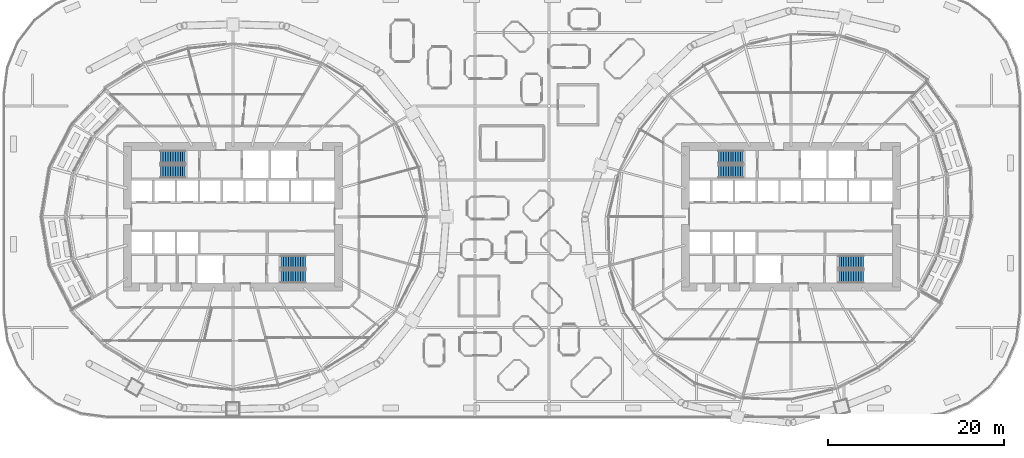
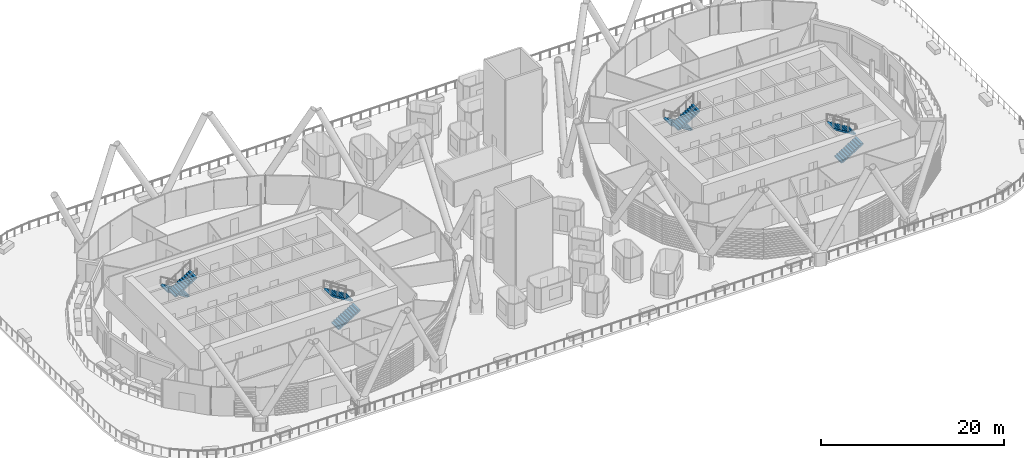
# One storey, part 34 of 47: 8 stair flights, 4 elements without a shape of their own.
"""IFC4 building model written with IfcOpenShell, lengths in metres."""

from ifc_helpers import new_model, si_unit, direction, frame, origin, place, context, subcontext, project, spatial, polyline, outline, extrude, material, type_object, element, aggregate, save


model = new_model("IFC4")

# Units and contexts
model_context = context("Model", 3, precision=1e-05, world=origin(), true_north=direction((0.0, 1.0)))
body_context = subcontext(model_context, "Body", "Model", "MODEL_VIEW")
ifc_project = project(units=[si_unit("LENGTHUNIT", "METRE"), si_unit("AREAUNIT", "SQUARE_METRE"), si_unit("VOLUMEUNIT", "CUBIC_METRE"), si_unit("PLANEANGLEUNIT", "RADIAN"), si_unit("MASSUNIT", "GRAM", prefix="KILO")], contexts=[model_context])

# Site, building, storey
site_placement = place(None, origin())
site = spatial("IfcSite", under=ifc_project, at=site_placement, CompositionType="ELEMENT")
building_placement = place(site_placement, origin())
building = spatial("IfcBuilding", under=site, at=building_placement, Name="Rimbun Link Towers", CompositionType="ELEMENT")
storey_placement = place(building_placement, frame((0.0, 0.0, 30.0)))
storey = spatial("IfcBuildingStorey", under=building, at=storey_placement, Name="L06", CompositionType="ELEMENT", Elevation=30.0)

# Stair, stair flights
ifc_material_1 = material(Name="Concrete C40/50", Category="concrete")
stair_type = type_object("IfcStairType", Name="Exit stair 3800 rise", PredefinedType="HALF_TURN_STAIR", material=ifc_material_1)
stair_1_placement = place(storey_placement, origin())
stair_1 = element("IfcStair", 1, at=stair_1_placement, inside=storey, type_object=stair_type, Name="L06 EXIT STAIR A", PredefinedType="HALF_TURN_STAIR")
ifc_material_2 = material(Name="Concrete C40/50", Category="concrete")
stair_flight_type = type_object("IfcStairFlightType", Name="Exit stair flight 3800 rise", PredefinedType="STRAIGHT", material=ifc_material_2)
stair_flight_1_placement = place(storey_placement, frame((-37.199951171875, 6.800048828125, 0.0), z_axis=(0.0, 0.0, 1.0), x_axis=(-1.0, 0.0, 0.0)))
stair_flight_1 = element("IfcStairFlight", 2, at=stair_flight_1_placement, type_object=stair_flight_type, Name="ST1 flight 1", NumberOfRisers=11, NumberOfTreads=10, PredefinedType="STRAIGHT", RiserHeight=0.172727273, TreadLength=0.28, context=body_context, shape_type="SweptSolid", body=[
    extrude(outline(polyline([(0.0, 0.0), (0.0, 0.172607421875), (0.280029296875, 0.172607421875), (0.280029296875, 0.345458984375), (0.56005859375, 0.345458984375), (0.56005859375, 0.51806640625), (0.840087890625, 0.51806640625), (0.840087890625, 0.69091796875), (1.1201171875, 0.69091796875), (1.1201171875, 0.863525390625), (1.39990234375, 0.863525390625), (1.39990234375, 1.036376953125), (1.679931640625, 1.036376953125), (1.679931640625, 1.208984375), (1.9599609375, 1.208984375), (1.9599609375, 1.3818359375), (2.239990234375, 1.3818359375), (2.239990234375, 1.554443359375), (2.52001953125, 1.554443359375), (2.52001953125, 1.727294921875), (2.800048828125, 1.727294921875), (2.800048828125, 1.89990234375), (2.800048828125, 1.551025390625), (0.280029296875, 0.0), (0.0, 0.0)])), frame((0.0, 0.75, 0.0), z_axis=(0.0, -1.0, 0.0), x_axis=(1.0, 0.0, 0.0)), (0.0, 0.0, 1.0), 1.5),
])
stair_flight_2_placement = place(storey_placement, frame((-40.0, 5.14990234375, 1.89990234375), z_axis=(0.0, 0.0, 1.0), x_axis=(1.0, 0.0, 0.0)))
stair_flight_2 = element("IfcStairFlight", 3, at=stair_flight_2_placement, type_object=stair_flight_type, Name="ST1 flight 2", NumberOfRisers=11, NumberOfTreads=10, PredefinedType="STRAIGHT", RiserHeight=0.172727273, TreadLength=0.28, context=body_context, shape_type="SweptSolid", body=[
    extrude(outline(polyline([(0.0, 0.0), (0.0, 0.172607421875), (0.280029296875, 0.172607421875), (0.280029296875, 0.345458984375), (0.56005859375, 0.345458984375), (0.56005859375, 0.51806640625), (0.840087890625, 0.51806640625), (0.840087890625, 0.69091796875), (1.1201171875, 0.69091796875), (1.1201171875, 0.863525390625), (1.39990234375, 0.863525390625), (1.39990234375, 1.036376953125), (1.679931640625, 1.036376953125), (1.679931640625, 1.208984375), (1.9599609375, 1.208984375), (1.9599609375, 1.3818359375), (2.239990234375, 1.3818359375), (2.239990234375, 1.554443359375), (2.52001953125, 1.554443359375), (2.52001953125, 1.727294921875), (2.800048828125, 1.727294921875), (2.800048828125, 1.89990234375), (2.800048828125, 1.551025390625), (0.280029296875, 0.0), (0.0, 0.0)])), frame((0.0, 0.75, 0.0), z_axis=(0.0, -1.0, 0.0), x_axis=(1.0, 0.0, 0.0)), (0.0, 0.0, 1.0), 1.5),
])
aggregate(stair_1, [stair_flight_1, stair_flight_2])

stair_2_placement = place(storey_placement, origin())
stair_2 = element("IfcStair", 4, at=stair_2_placement, inside=storey, type_object=stair_type, Name="L06 EXIT STAIR B", PredefinedType="HALF_TURN_STAIR")
stair_flight_3_placement = place(storey_placement, frame((-26.300048828125, -6.800048828125, 0.0), z_axis=(0.0, 0.0, 1.0), x_axis=(1.0, 0.0, 0.0)))
stair_flight_3 = element("IfcStairFlight", 5, at=stair_flight_3_placement, type_object=stair_flight_type, Name="ST2 flight 1", NumberOfRisers=11, NumberOfTreads=10, PredefinedType="STRAIGHT", RiserHeight=0.172727273, TreadLength=0.28, context=body_context, shape_type="SweptSolid", body=[
    extrude(outline(polyline([(0.0, 0.0), (0.0, 0.172607421875), (0.280029296875, 0.172607421875), (0.280029296875, 0.345458984375), (0.56005859375, 0.345458984375), (0.56005859375, 0.51806640625), (0.840087890625, 0.51806640625), (0.840087890625, 0.69091796875), (1.1201171875, 0.69091796875), (1.1201171875, 0.863525390625), (1.39990234375, 0.863525390625), (1.39990234375, 1.036376953125), (1.679931640625, 1.036376953125), (1.679931640625, 1.208984375), (1.9599609375, 1.208984375), (1.9599609375, 1.3818359375), (2.239990234375, 1.3818359375), (2.239990234375, 1.554443359375), (2.52001953125, 1.554443359375), (2.52001953125, 1.727294921875), (2.800048828125, 1.727294921875), (2.800048828125, 1.89990234375), (2.800048828125, 1.551025390625), (0.280029296875, 0.0), (0.0, 0.0)])), frame((0.0, 0.75, 0.0), z_axis=(0.0, -1.0, 0.0), x_axis=(1.0, 0.0, 0.0)), (0.0, 0.0, 1.0), 1.5),
])
stair_flight_4_placement = place(storey_placement, frame((-23.5, -5.14990234375, 1.89990234375), z_axis=(0.0, 0.0, 1.0), x_axis=(-1.0, 0.0, 0.0)))
stair_flight_4 = element("IfcStairFlight", 6, at=stair_flight_4_placement, type_object=stair_flight_type, Name="ST2 flight 2", NumberOfRisers=11, NumberOfTreads=10, PredefinedType="STRAIGHT", RiserHeight=0.172727273, TreadLength=0.28, context=body_context, shape_type="SweptSolid", body=[
    extrude(outline(polyline([(0.0, 0.0), (0.0, 0.172607421875), (0.280029296875, 0.172607421875), (0.280029296875, 0.345458984375), (0.56005859375, 0.345458984375), (0.56005859375, 0.51806640625), (0.840087890625, 0.51806640625), (0.840087890625, 0.69091796875), (1.1201171875, 0.69091796875), (1.1201171875, 0.863525390625), (1.39990234375, 0.863525390625), (1.39990234375, 1.036376953125), (1.679931640625, 1.036376953125), (1.679931640625, 1.208984375), (1.9599609375, 1.208984375), (1.9599609375, 1.3818359375), (2.239990234375, 1.3818359375), (2.239990234375, 1.554443359375), (2.52001953125, 1.554443359375), (2.52001953125, 1.727294921875), (2.800048828125, 1.727294921875), (2.800048828125, 1.89990234375), (2.800048828125, 1.551025390625), (0.280029296875, 0.0), (0.0, 0.0)])), frame((0.0, 0.75, 0.0), z_axis=(0.0, -1.0, 0.0), x_axis=(1.0, 0.0, 0.0)), (0.0, 0.0, 1.0), 1.5),
])
aggregate(stair_2, [stair_flight_3, stair_flight_4])

stair_3_placement = place(storey_placement, origin())
stair_3 = element("IfcStair", 7, at=stair_3_placement, inside=storey, type_object=stair_type, Name="L06 EXIT STAIR A", PredefinedType="HALF_TURN_STAIR")
stair_flight_5_placement = place(storey_placement, frame((26.300048828125, 6.800048828125, 0.0), z_axis=(0.0, 0.0, 1.0), x_axis=(-1.0, 0.0, 0.0)))
stair_flight_5 = element("IfcStairFlight", 8, at=stair_flight_5_placement, type_object=stair_flight_type, Name="ST3 flight 1", NumberOfRisers=11, NumberOfTreads=10, PredefinedType="STRAIGHT", RiserHeight=0.172727273, TreadLength=0.28, context=body_context, shape_type="SweptSolid", body=[
    extrude(outline(polyline([(0.0, 0.0), (0.0, 0.172607421875), (0.280029296875, 0.172607421875), (0.280029296875, 0.345458984375), (0.56005859375, 0.345458984375), (0.56005859375, 0.51806640625), (0.840087890625, 0.51806640625), (0.840087890625, 0.69091796875), (1.1201171875, 0.69091796875), (1.1201171875, 0.863525390625), (1.39990234375, 0.863525390625), (1.39990234375, 1.036376953125), (1.679931640625, 1.036376953125), (1.679931640625, 1.208984375), (1.9599609375, 1.208984375), (1.9599609375, 1.3818359375), (2.239990234375, 1.3818359375), (2.239990234375, 1.554443359375), (2.52001953125, 1.554443359375), (2.52001953125, 1.727294921875), (2.800048828125, 1.727294921875), (2.800048828125, 1.89990234375), (2.800048828125, 1.551025390625), (0.280029296875, 0.0), (0.0, 0.0)])), frame((0.0, 0.75, 0.0), z_axis=(0.0, -1.0, 0.0), x_axis=(1.0, 0.0, 0.0)), (0.0, 0.0, 1.0), 1.5),
])
stair_flight_6_placement = place(storey_placement, frame((23.5, 5.14990234375, 1.89990234375), z_axis=(0.0, 0.0, 1.0), x_axis=(1.0, 0.0, 0.0)))
stair_flight_6 = element("IfcStairFlight", 9, at=stair_flight_6_placement, type_object=stair_flight_type, Name="ST3 flight 2", NumberOfRisers=11, NumberOfTreads=10, PredefinedType="STRAIGHT", RiserHeight=0.172727273, TreadLength=0.28, context=body_context, shape_type="SweptSolid", body=[
    extrude(outline(polyline([(0.0, 0.0), (0.0, 0.172607421875), (0.280029296875, 0.172607421875), (0.280029296875, 0.345458984375), (0.56005859375, 0.345458984375), (0.56005859375, 0.51806640625), (0.840087890625, 0.51806640625), (0.840087890625, 0.69091796875), (1.1201171875, 0.69091796875), (1.1201171875, 0.863525390625), (1.39990234375, 0.863525390625), (1.39990234375, 1.036376953125), (1.679931640625, 1.036376953125), (1.679931640625, 1.208984375), (1.9599609375, 1.208984375), (1.9599609375, 1.3818359375), (2.239990234375, 1.3818359375), (2.239990234375, 1.554443359375), (2.52001953125, 1.554443359375), (2.52001953125, 1.727294921875), (2.800048828125, 1.727294921875), (2.800048828125, 1.89990234375), (2.800048828125, 1.551025390625), (0.280029296875, 0.0), (0.0, 0.0)])), frame((0.0, 0.75, 0.0), z_axis=(0.0, -1.0, 0.0), x_axis=(1.0, 0.0, 0.0)), (0.0, 0.0, 1.0), 1.5),
])
aggregate(stair_3, [stair_flight_5, stair_flight_6])

stair_4_placement = place(storey_placement, origin())
stair_4 = element("IfcStair", 10, at=stair_4_placement, inside=storey, type_object=stair_type, Name="L06 EXIT STAIR B", PredefinedType="HALF_TURN_STAIR")
stair_flight_7_placement = place(storey_placement, frame((37.199951171875, -6.800048828125, 0.0), z_axis=(0.0, 0.0, 1.0), x_axis=(1.0, 0.0, 0.0)))
stair_flight_7 = element("IfcStairFlight", 11, at=stair_flight_7_placement, type_object=stair_flight_type, Name="ST4 flight 1", NumberOfRisers=11, NumberOfTreads=10, PredefinedType="STRAIGHT", RiserHeight=0.172727273, TreadLength=0.28, context=body_context, shape_type="SweptSolid", body=[
    extrude(outline(polyline([(0.0, 0.0), (0.0, 0.172607421875), (0.280029296875, 0.172607421875), (0.280029296875, 0.345458984375), (0.56005859375, 0.345458984375), (0.56005859375, 0.51806640625), (0.840087890625, 0.51806640625), (0.840087890625, 0.69091796875), (1.1201171875, 0.69091796875), (1.1201171875, 0.863525390625), (1.39990234375, 0.863525390625), (1.39990234375, 1.036376953125), (1.679931640625, 1.036376953125), (1.679931640625, 1.208984375), (1.9599609375, 1.208984375), (1.9599609375, 1.3818359375), (2.239990234375, 1.3818359375), (2.239990234375, 1.554443359375), (2.52001953125, 1.554443359375), (2.52001953125, 1.727294921875), (2.800048828125, 1.727294921875), (2.800048828125, 1.89990234375), (2.800048828125, 1.551025390625), (0.280029296875, 0.0), (0.0, 0.0)])), frame((0.0, 0.75, 0.0), z_axis=(0.0, -1.0, 0.0), x_axis=(1.0, 0.0, 0.0)), (0.0, 0.0, 1.0), 1.5),
])
stair_flight_8_placement = place(storey_placement, frame((40.0, -5.14990234375, 1.89990234375), z_axis=(0.0, 0.0, 1.0), x_axis=(-1.0, 0.0, 0.0)))
stair_flight_8 = element("IfcStairFlight", 12, at=stair_flight_8_placement, type_object=stair_flight_type, Name="ST4 flight 2", NumberOfRisers=11, NumberOfTreads=10, PredefinedType="STRAIGHT", RiserHeight=0.172727273, TreadLength=0.28, context=body_context, shape_type="SweptSolid", body=[
    extrude(outline(polyline([(0.0, 0.0), (0.0, 0.172607421875), (0.280029296875, 0.172607421875), (0.280029296875, 0.345458984375), (0.56005859375, 0.345458984375), (0.56005859375, 0.51806640625), (0.840087890625, 0.51806640625), (0.840087890625, 0.69091796875), (1.1201171875, 0.69091796875), (1.1201171875, 0.863525390625), (1.39990234375, 0.863525390625), (1.39990234375, 1.036376953125), (1.679931640625, 1.036376953125), (1.679931640625, 1.208984375), (1.9599609375, 1.208984375), (1.9599609375, 1.3818359375), (2.239990234375, 1.3818359375), (2.239990234375, 1.554443359375), (2.52001953125, 1.554443359375), (2.52001953125, 1.727294921875), (2.800048828125, 1.727294921875), (2.800048828125, 1.89990234375), (2.800048828125, 1.551025390625), (0.280029296875, 0.0), (0.0, 0.0)])), frame((0.0, 0.75, 0.0), z_axis=(0.0, -1.0, 0.0), x_axis=(1.0, 0.0, 0.0)), (0.0, 0.0, 1.0), 1.5),
])
aggregate(stair_4, [stair_flight_7, stair_flight_8])

save(model, "model.ifc")
